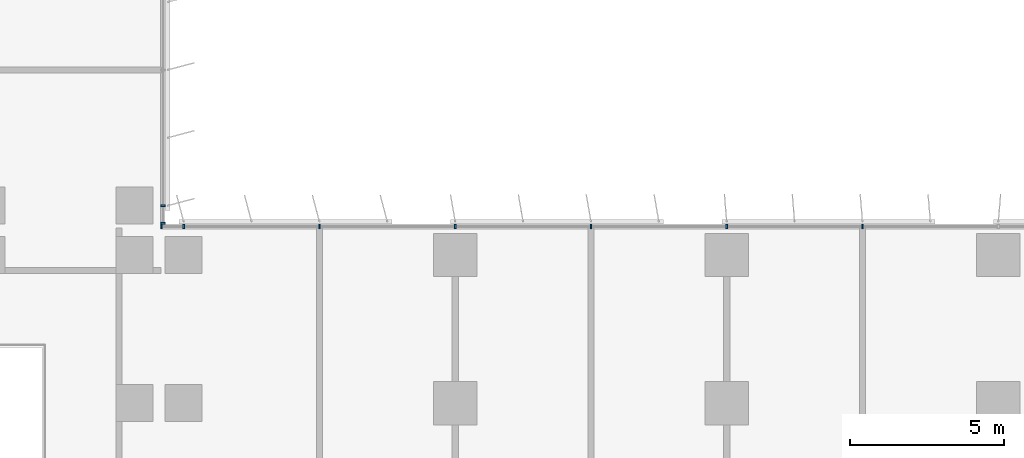
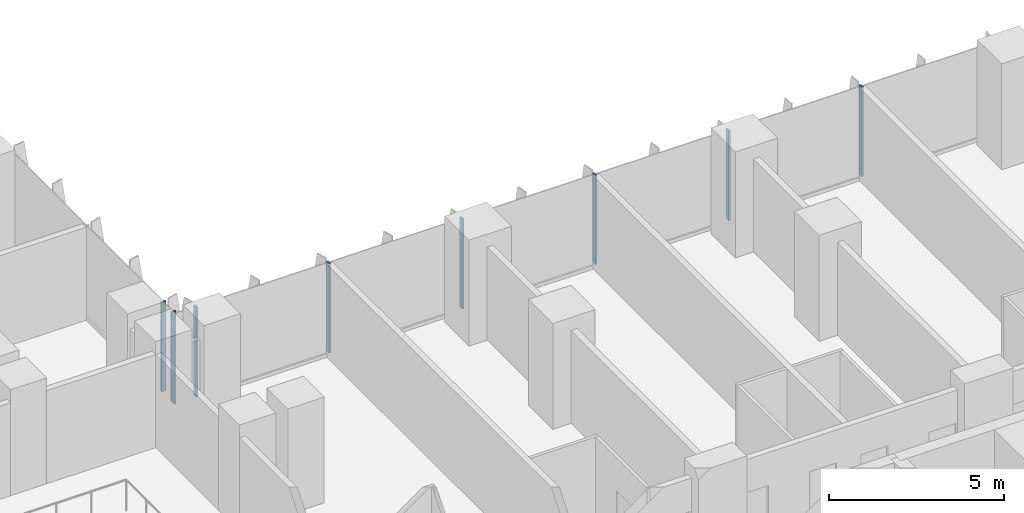
# One storey, part 2 of 23: 9 members, 2 elements without a shape of their own.
"""IFC4 building model written with IfcOpenShell, lengths in metres."""

from ifc_helpers import new_model, si_unit, direction, frame, origin, origin_2d, place, context, subcontext, project, spatial, rectangle, extrude, source, transform, mapped, material, material_profile, profile_set, type_object, element, aggregate, save


model = new_model("IFC4")

# Units and contexts
model_context = context("Model", 3, precision=1e-05, world=origin(), true_north=direction((0.0, 1.0)))
body_context = subcontext(model_context, "Body", "Model", "MODEL_VIEW")
ifc_project = project(units=[si_unit("LENGTHUNIT", "METRE"), si_unit("AREAUNIT", "SQUARE_METRE"), si_unit("VOLUMEUNIT", "CUBIC_METRE"), si_unit("PLANEANGLEUNIT", "RADIAN"), si_unit("MASSUNIT", "GRAM", prefix="KILO")], contexts=[model_context])

# Site, building, storey
site_placement = place(None, origin())
site = spatial("IfcSite", under=ifc_project, at=site_placement, CompositionType="ELEMENT")
building_placement = place(site_placement, origin())
building = spatial("IfcBuilding", under=site, at=building_placement, Name="Kemantara Hotel Tower", CompositionType="ELEMENT")
storey_placement = place(building_placement, frame((0.0, 0.0, 67.300048828125)))
storey = spatial("IfcBuildingStorey", under=building, at=storey_placement, Name="L15", CompositionType="ELEMENT", Elevation=67.300048828125)

# Curtain wall, members
ifc_material_1 = material(Name="Low-E tinted double insulated glass 36 mm", Category="glass")
curtain_wall_type = type_object("IfcCurtainWallType", Name="TOWER CURTAIN WALL, FRONT FACES", PredefinedType="USERDEFINED", material=ifc_material_1)
curtain_wall_1_placement = place(storey_placement, origin())
curtain_wall_1 = element("IfcCurtainWall", 1, at=curtain_wall_1_placement, inside=storey, type_object=curtain_wall_type, Name="CW4 L15 T1-R07-1", ObjectType="TOWER CURTAIN WALL, FRONT FACES", PredefinedType="USERDEFINED")
ifc_material_2 = material(Name="Aluminium 6063-T6 bronze anodised", Category="aluminium")
ifc_material_profile = material_profile(ifc_material_2, rectangle(XDim=0.14990234375, YDim=0.06005859375, at=origin_2d()), Name="TOWER CURTAIN WALL, FRONT FACES MULLION")
ifc_profile_set = profile_set([ifc_material_profile], Name="Aluminium 6063-T6 bronze anodised")
member_type = type_object("IfcMemberType", Name="TOWER CURTAIN WALL, FRONT FACES MULLION", PredefinedType="MULLION", material=ifc_profile_set)
shared_shape = source(origin(), body_context, "Body", "SweptSolid", [
    extrude(rectangle(XDim=0.14990234375, YDim=0.06005859375, at=origin_2d()), origin(), (0.0, 0.0, 1.0), 3.130126953125),
])
member_1_placement = place(storey_placement, frame((49.39990234375, 26.72509765625, 0.119873046875), z_axis=(0.0, 0.0, 1.0), x_axis=(0.0, -1.0, 0.0)))
member_1 = element("IfcMember", 2, at=member_1_placement, type_object=member_type, Name="CW4 mullion T1-R07-1.8", PredefinedType="MULLION", context=body_context, shape_type="MappedRepresentation", body=[
    mapped(shared_shape, transform((0.0, 0.0, 0.0))),
])
member_2_placement = place(storey_placement, frame((45.0, 26.72509765625, 0.119873046875), z_axis=(0.0, 0.0, 1.0), x_axis=(0.0, -1.0, 0.0)))
member_2 = element("IfcMember", 3, at=member_2_placement, type_object=member_type, Name="CW4 mullion T1-R07-1.9", PredefinedType="MULLION", context=body_context, shape_type="MappedRepresentation", body=[
    mapped(shared_shape, transform((0.0, 0.0, 0.0))),
])
member_3_placement = place(storey_placement, frame((40.60009765625, 26.72509765625, 0.119873046875), z_axis=(0.0, 0.0, 1.0), x_axis=(0.0, -1.0, 0.0)))
member_3 = element("IfcMember", 4, at=member_3_placement, type_object=member_type, Name="CW4 mullion T1-R07-1.10", PredefinedType="MULLION", context=body_context, shape_type="MappedRepresentation", body=[
    mapped(shared_shape, transform((0.0, 0.0, 0.0))),
])
member_4_placement = place(storey_placement, frame((36.199951171875, 26.72509765625, 0.119873046875), z_axis=(0.0, 0.0, 1.0), x_axis=(0.0, -1.0, 0.0)))
member_4 = element("IfcMember", 5, at=member_4_placement, type_object=member_type, Name="CW4 mullion T1-R07-1.11", PredefinedType="MULLION", context=body_context, shape_type="MappedRepresentation", body=[
    mapped(shared_shape, transform((0.0, 0.0, 0.0))),
])
member_5_placement = place(storey_placement, frame((31.800048828125, 26.72509765625, 0.119873046875), z_axis=(0.0, 0.0, 1.0), x_axis=(0.0, -1.0, 0.0)))
member_5 = element("IfcMember", 6, at=member_5_placement, type_object=member_type, Name="CW4 mullion T1-R07-1.12", PredefinedType="MULLION", context=body_context, shape_type="MappedRepresentation", body=[
    mapped(shared_shape, transform((0.0, 0.0, 0.0))),
])
member_6_placement = place(storey_placement, frame((27.39990234375, 26.72509765625, 0.119873046875), z_axis=(0.0, 0.0, 1.0), x_axis=(0.0, -1.0, 0.0)))
member_6 = element("IfcMember", 7, at=member_6_placement, type_object=member_type, Name="CW4 mullion T1-R07-1.13", PredefinedType="MULLION", context=body_context, shape_type="MappedRepresentation", body=[
    mapped(shared_shape, transform((0.0, 0.0, 0.0))),
])
member_7_placement = place(storey_placement, frame((26.679931640625, 26.72509765625, 0.119873046875), z_axis=(0.0, 0.0, 1.0), x_axis=(0.0, -1.0, 0.0)))
member_7 = element("IfcMember", 8, at=member_7_placement, type_object=member_type, Name="CW4 mullion T1-R07-1.14", PredefinedType="MULLION", context=body_context, shape_type="MappedRepresentation", body=[
    mapped(shared_shape, transform((0.0, 0.0, 0.0))),
])
aggregate(curtain_wall_1, [member_1, member_2, member_3, member_4, member_5, member_6, member_7])

curtain_wall_2_placement = place(storey_placement, origin())
curtain_wall_2 = element("IfcCurtainWall", 9, at=curtain_wall_2_placement, inside=storey, type_object=curtain_wall_type, Name="CW4 L15 T1-R08-1", ObjectType="TOWER CURTAIN WALL, FRONT FACES", PredefinedType="USERDEFINED")
member_8_placement = place(storey_placement, frame((26.72509765625, 26.830078125, 0.119873046875), z_axis=(0.0, 0.0, 1.0), x_axis=(-1.0, 0.0, 0.0)))
member_8 = element("IfcMember", 10, at=member_8_placement, type_object=member_type, Name="CW4 mullion T1-R08-1.1", PredefinedType="MULLION", context=body_context, shape_type="MappedRepresentation", body=[
    mapped(shared_shape, transform((0.0, 0.0, 0.0))),
])
member_9_placement = place(storey_placement, frame((26.72509765625, 27.39990234375, 0.119873046875), z_axis=(0.0, 0.0, 1.0), x_axis=(-1.0, 0.0, 0.0)))
member_9 = element("IfcMember", 11, at=member_9_placement, type_object=member_type, Name="CW4 mullion T1-R08-1.2", PredefinedType="MULLION", context=body_context, shape_type="MappedRepresentation", body=[
    mapped(shared_shape, transform((0.0, 0.0, 0.0))),
])
aggregate(curtain_wall_2, [member_8, member_9])

save(model, "model.ifc")
